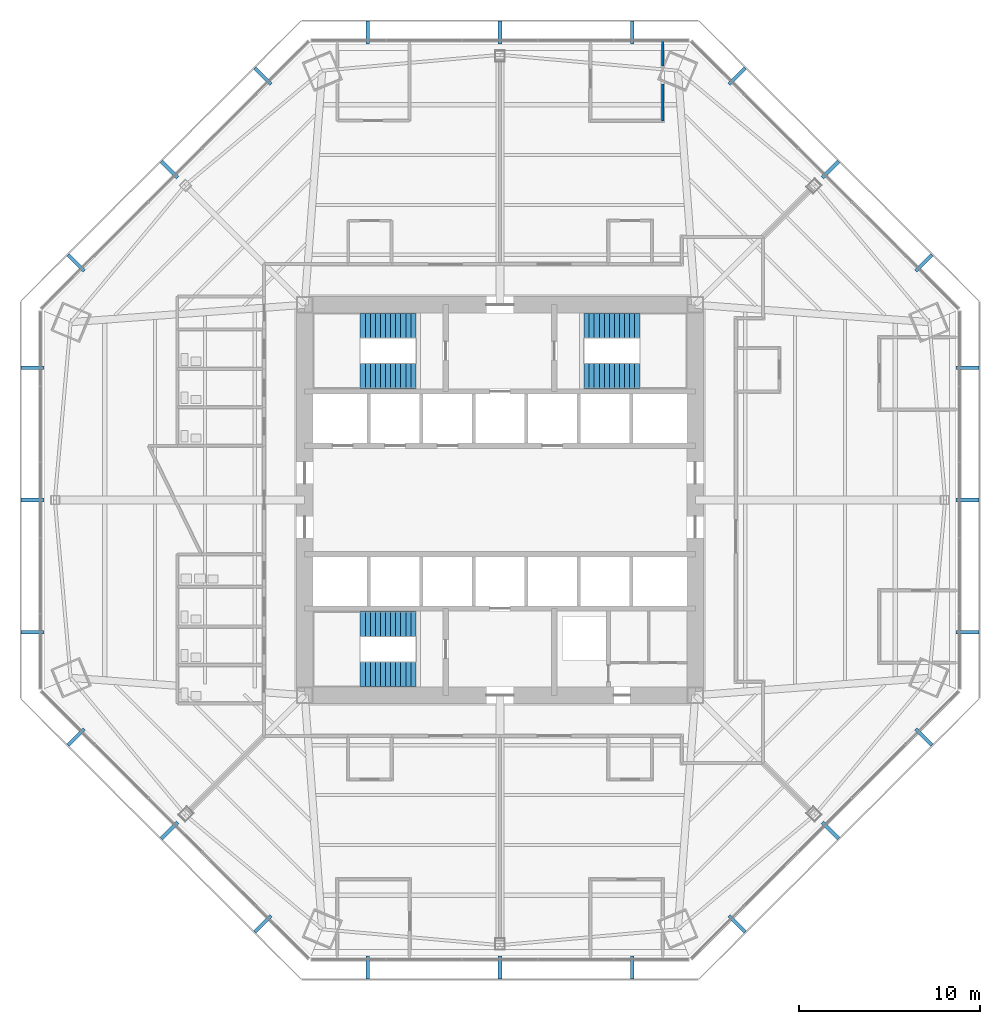
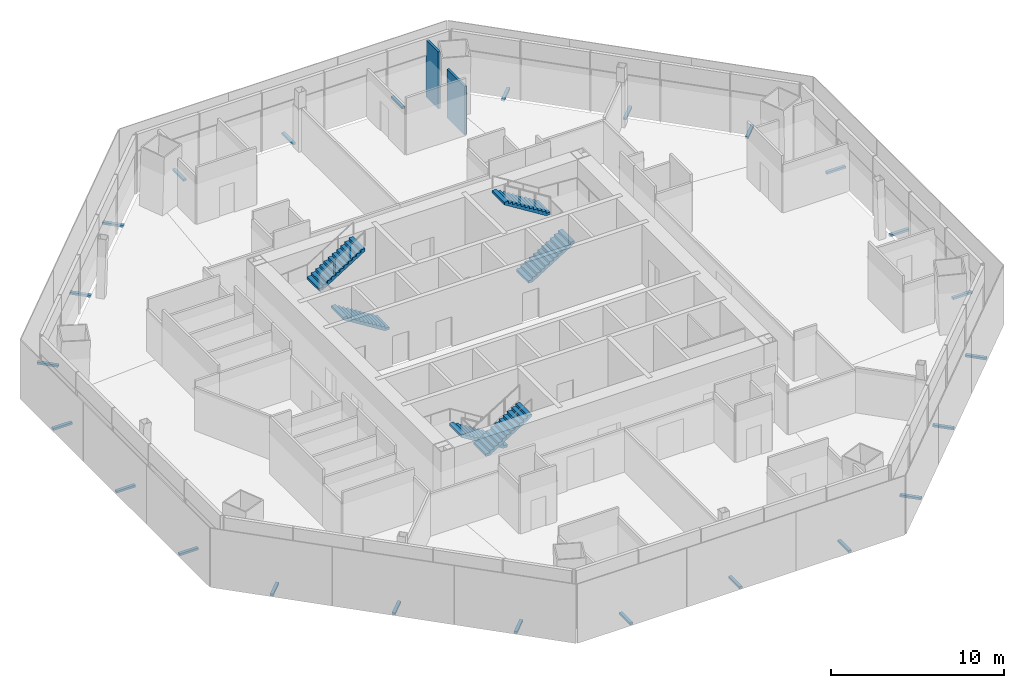
# One storey, part 13 of 17: 24 discrete accessories, 6 stair flights, 2 walls, 3 elements without a shape of their own.
"""IFC4 building model written with IfcOpenShell, lengths in metres."""

from ifc_helpers import new_model, si_unit, direction, frame, frame_2d, origin, origin_2d, place, context, subcontext, project, spatial, polyline, rectangle, outline, extrude, source, transform, mapped, material, layer, layer_set, type_object, type_shapes, element, aggregate, save


model = new_model("IFC4")

# Units and contexts
model_context = context("Model", 3, precision=1e-05, world=origin(), true_north=direction((0.0, 1.0)))
body_context = subcontext(model_context, "Body", "Model", "MODEL_VIEW")
ifc_project = project(units=[si_unit("LENGTHUNIT", "METRE"), si_unit("AREAUNIT", "SQUARE_METRE"), si_unit("VOLUMEUNIT", "CUBIC_METRE"), si_unit("PLANEANGLEUNIT", "RADIAN"), si_unit("MASSUNIT", "GRAM", prefix="KILO")], contexts=[model_context])

# Site, building, storey
site_placement = place(None, origin())
site = spatial("IfcSite", under=ifc_project, at=site_placement, CompositionType="ELEMENT")
building_placement = place(site_placement, origin())
building = spatial("IfcBuilding", under=site, at=building_placement, Name="Mashrafa Tower", CompositionType="ELEMENT")
storey_placement = place(building_placement, frame((0.0, 0.0, 91.800048828125)))
storey = spatial("IfcBuildingStorey", under=building, at=storey_placement, Name="L20", CompositionType="ELEMENT", Elevation=91.800048828125)

# Walls
ifc_material_1 = material(Name="Gypsum board on steel studs", Category="steel")
ifc_layer = layer(ifc_material_1, 0.14990234375)
ifc_layer_set = layer_set([ifc_layer], Name="Partition 150")
wall_type = type_object("IfcWallType", Name="Partition 150", PredefinedType="PARTITIONING", material=ifc_layer_set)
wall_1_placement = place(storey_placement, frame((9.0, 20.9677734375, 0.0), z_axis=(0.0, 0.0, 1.0), x_axis=(0.0, 1.0, 0.0)))
element("IfcWall", 1, at=wall_1_placement, inside=storey, type_object=wall_type, Name="Partition wall L20-058", PredefinedType="PARTITIONING", context=body_context, shape_type="SweptSolid", body=[
    extrude(rectangle(XDim=2.03662109375, YDim=0.14990234375, at=frame_2d((1.018310546875, 0.0))), origin(), (0.0, 0.0, 1.0), 3.4228515625),
])
wall_2_placement = place(storey_placement, frame((9.0, 23.998779296875, 0.0), z_axis=(0.0, 0.0, 1.0), x_axis=(0.0, 1.0, 0.0)))
element("IfcWall", 2, at=wall_2_placement, inside=storey, type_object=wall_type, Name="Partition wall L20-059", PredefinedType="PARTITIONING", context=body_context, shape_type="SweptSolid", body=[
    extrude(rectangle(XDim=1.401123046875, YDim=0.14990234375, at=frame_2d((0.70068359375, 0.0))), origin(), (0.0, 0.0, 1.0), 4.034912109375),
])

# Stair, stair flights
ifc_material_2 = material(Name="Exit stair 1400")
stair_type = type_object("IfcStairType", Name="Exit stair 1400", PredefinedType="HALF_TURN_STAIR", material=ifc_material_2)
stair_1_placement = place(storey_placement, origin())
stair_1 = element("IfcStair", 3, at=stair_1_placement, inside=storey, type_object=stair_type, Name="Stair S1 L20", PredefinedType="HALF_TURN_STAIR")
ifc_material_3 = material(Name="Concrete C32/40", Category="concrete")
stair_flight_type = type_object("IfcStairFlightType", Name="Stair flight 1400", PredefinedType="STRAIGHT", material=ifc_material_3)
stair_flight_1_placement = place(storey_placement, frame((-4.64990234375, 6.85009765625, 0.0), z_axis=(0.0, 0.0, 1.0), x_axis=(-1.0, 0.0, 0.0)))
stair_flight_1 = element("IfcStairFlight", 4, at=stair_flight_1_placement, type_object=stair_flight_type, Name="S1 flight 1", NumberOfRisers=12, NumberOfTreads=11, PredefinedType="STRAIGHT", RiserHeight=0.175, TreadLength=0.28, context=body_context, shape_type="SweptSolid", body=[
    extrude(outline(polyline([(0.0, 0.0), (0.0, 0.175048828125), (0.280029296875, 0.175048828125), (0.280029296875, 0.35009765625), (0.56005859375, 0.35009765625), (0.56005859375, 0.52490234375), (0.840087890625, 0.52490234375), (0.840087890625, 0.699951171875), (1.1201171875, 0.699951171875), (1.1201171875, 0.875), (1.39990234375, 0.875), (1.39990234375, 1.050048828125), (1.679931640625, 1.050048828125), (1.679931640625, 1.22509765625), (1.9599609375, 1.22509765625), (1.9599609375, 1.39990234375), (2.239990234375, 1.39990234375), (2.239990234375, 1.574951171875), (2.52001953125, 1.574951171875), (2.52001953125, 1.75), (2.800048828125, 1.75), (2.800048828125, 1.925048828125), (3.080078125, 1.925048828125), (3.080078125, 2.10009765625), (3.080078125, 1.748291015625), (0.28271484375, 0.0), (0.0, 0.0)])), frame((0.0, 0.699951171875, 0.0), z_axis=(0.0, -1.0, 0.0), x_axis=(1.0, 0.0, 0.0)), (0.0, 0.0, 1.0), 1.39990234375),
])
stair_flight_2_placement = place(storey_placement, frame((-7.72998046875, 9.64990234375, 2.099853515625), z_axis=(0.0, 0.0, 1.0), x_axis=(1.0, 0.0, 0.0)))
stair_flight_2 = element("IfcStairFlight", 5, at=stair_flight_2_placement, type_object=stair_flight_type, Name="S1 flight 2", NumberOfRisers=12, NumberOfTreads=11, PredefinedType="STRAIGHT", RiserHeight=0.175, TreadLength=0.28, context=body_context, shape_type="SweptSolid", body=[
    extrude(outline(polyline([(0.0, 0.0), (0.0, 0.175048828125), (0.280029296875, 0.175048828125), (0.280029296875, 0.35009765625), (0.56005859375, 0.35009765625), (0.56005859375, 0.52490234375), (0.840087890625, 0.52490234375), (0.840087890625, 0.699951171875), (1.1201171875, 0.699951171875), (1.1201171875, 0.875), (1.39990234375, 0.875), (1.39990234375, 1.050048828125), (1.679931640625, 1.050048828125), (1.679931640625, 1.22509765625), (1.9599609375, 1.22509765625), (1.9599609375, 1.39990234375), (2.239990234375, 1.39990234375), (2.239990234375, 1.574951171875), (2.52001953125, 1.574951171875), (2.52001953125, 1.75), (2.800048828125, 1.75), (2.800048828125, 1.925048828125), (3.080078125, 1.925048828125), (3.080078125, 2.10009765625), (3.080078125, 1.748291015625), (0.28271484375, 0.0), (0.0, 0.0)])), frame((0.0, 0.699951171875, 0.0), z_axis=(0.0, -1.0, 0.0), x_axis=(1.0, 0.0, 0.0)), (0.0, 0.0, 1.0), 1.39990234375),
])
aggregate(stair_1, [stair_flight_1, stair_flight_2])

stair_2_placement = place(storey_placement, origin())
stair_2 = element("IfcStair", 6, at=stair_2_placement, inside=storey, type_object=stair_type, Name="Stair S2 L20", PredefinedType="HALF_TURN_STAIR")
stair_flight_3_placement = place(storey_placement, frame((4.64990234375, 6.85009765625, 0.0), z_axis=(0.0, 0.0, 1.0), x_axis=(1.0, 0.0, 0.0)))
stair_flight_3 = element("IfcStairFlight", 7, at=stair_flight_3_placement, type_object=stair_flight_type, Name="S2 flight 1", NumberOfRisers=12, NumberOfTreads=11, PredefinedType="STRAIGHT", RiserHeight=0.175, TreadLength=0.28, context=body_context, shape_type="SweptSolid", body=[
    extrude(outline(polyline([(0.0, 0.0), (0.0, 0.175048828125), (0.280029296875, 0.175048828125), (0.280029296875, 0.35009765625), (0.56005859375, 0.35009765625), (0.56005859375, 0.52490234375), (0.840087890625, 0.52490234375), (0.840087890625, 0.699951171875), (1.1201171875, 0.699951171875), (1.1201171875, 0.875), (1.39990234375, 0.875), (1.39990234375, 1.050048828125), (1.679931640625, 1.050048828125), (1.679931640625, 1.22509765625), (1.9599609375, 1.22509765625), (1.9599609375, 1.39990234375), (2.239990234375, 1.39990234375), (2.239990234375, 1.574951171875), (2.52001953125, 1.574951171875), (2.52001953125, 1.75), (2.800048828125, 1.75), (2.800048828125, 1.925048828125), (3.080078125, 1.925048828125), (3.080078125, 2.10009765625), (3.080078125, 1.748291015625), (0.28271484375, 0.0), (0.0, 0.0)])), frame((0.0, 0.699951171875, 0.0), z_axis=(0.0, -1.0, 0.0), x_axis=(1.0, 0.0, 0.0)), (0.0, 0.0, 1.0), 1.39990234375),
])
stair_flight_4_placement = place(storey_placement, frame((7.72998046875, 9.64990234375, 2.099853515625), z_axis=(0.0, 0.0, 1.0), x_axis=(-1.0, 0.0, 0.0)))
stair_flight_4 = element("IfcStairFlight", 8, at=stair_flight_4_placement, type_object=stair_flight_type, Name="S2 flight 2", NumberOfRisers=12, NumberOfTreads=11, PredefinedType="STRAIGHT", RiserHeight=0.175, TreadLength=0.28, context=body_context, shape_type="SweptSolid", body=[
    extrude(outline(polyline([(0.0, 0.0), (0.0, 0.175048828125), (0.280029296875, 0.175048828125), (0.280029296875, 0.35009765625), (0.56005859375, 0.35009765625), (0.56005859375, 0.52490234375), (0.840087890625, 0.52490234375), (0.840087890625, 0.699951171875), (1.1201171875, 0.699951171875), (1.1201171875, 0.875), (1.39990234375, 0.875), (1.39990234375, 1.050048828125), (1.679931640625, 1.050048828125), (1.679931640625, 1.22509765625), (1.9599609375, 1.22509765625), (1.9599609375, 1.39990234375), (2.239990234375, 1.39990234375), (2.239990234375, 1.574951171875), (2.52001953125, 1.574951171875), (2.52001953125, 1.75), (2.800048828125, 1.75), (2.800048828125, 1.925048828125), (3.080078125, 1.925048828125), (3.080078125, 2.10009765625), (3.080078125, 1.748291015625), (0.28271484375, 0.0), (0.0, 0.0)])), frame((0.0, 0.699951171875, 0.0), z_axis=(0.0, -1.0, 0.0), x_axis=(1.0, 0.0, 0.0)), (0.0, 0.0, 1.0), 1.39990234375),
])
aggregate(stair_2, [stair_flight_3, stair_flight_4])

stair_3_placement = place(storey_placement, origin())
stair_3 = element("IfcStair", 9, at=stair_3_placement, inside=storey, type_object=stair_type, Name="Stair S3 L20", PredefinedType="HALF_TURN_STAIR")
stair_flight_5_placement = place(storey_placement, frame((-4.64990234375, -6.85009765625, 0.0), z_axis=(0.0, 0.0, 1.0), x_axis=(-1.0, 0.0, 0.0)))
stair_flight_5 = element("IfcStairFlight", 10, at=stair_flight_5_placement, type_object=stair_flight_type, Name="S3 flight 1", NumberOfRisers=12, NumberOfTreads=11, PredefinedType="STRAIGHT", RiserHeight=0.175, TreadLength=0.28, context=body_context, shape_type="SweptSolid", body=[
    extrude(outline(polyline([(0.0, 0.0), (0.0, 0.175048828125), (0.280029296875, 0.175048828125), (0.280029296875, 0.35009765625), (0.56005859375, 0.35009765625), (0.56005859375, 0.52490234375), (0.840087890625, 0.52490234375), (0.840087890625, 0.699951171875), (1.1201171875, 0.699951171875), (1.1201171875, 0.875), (1.39990234375, 0.875), (1.39990234375, 1.050048828125), (1.679931640625, 1.050048828125), (1.679931640625, 1.22509765625), (1.9599609375, 1.22509765625), (1.9599609375, 1.39990234375), (2.239990234375, 1.39990234375), (2.239990234375, 1.574951171875), (2.52001953125, 1.574951171875), (2.52001953125, 1.75), (2.800048828125, 1.75), (2.800048828125, 1.925048828125), (3.080078125, 1.925048828125), (3.080078125, 2.10009765625), (3.080078125, 1.748291015625), (0.28271484375, 0.0), (0.0, 0.0)])), frame((0.0, 0.699951171875, 0.0), z_axis=(0.0, -1.0, 0.0), x_axis=(1.0, 0.0, 0.0)), (0.0, 0.0, 1.0), 1.39990234375),
])
stair_flight_6_placement = place(storey_placement, frame((-7.72998046875, -9.64990234375, 2.099853515625), z_axis=(0.0, 0.0, 1.0), x_axis=(1.0, 0.0, 0.0)))
stair_flight_6 = element("IfcStairFlight", 11, at=stair_flight_6_placement, type_object=stair_flight_type, Name="S3 flight 2", NumberOfRisers=12, NumberOfTreads=11, PredefinedType="STRAIGHT", RiserHeight=0.175, TreadLength=0.28, context=body_context, shape_type="SweptSolid", body=[
    extrude(outline(polyline([(0.0, 0.0), (0.0, 0.175048828125), (0.280029296875, 0.175048828125), (0.280029296875, 0.35009765625), (0.56005859375, 0.35009765625), (0.56005859375, 0.52490234375), (0.840087890625, 0.52490234375), (0.840087890625, 0.699951171875), (1.1201171875, 0.699951171875), (1.1201171875, 0.875), (1.39990234375, 0.875), (1.39990234375, 1.050048828125), (1.679931640625, 1.050048828125), (1.679931640625, 1.22509765625), (1.9599609375, 1.22509765625), (1.9599609375, 1.39990234375), (2.239990234375, 1.39990234375), (2.239990234375, 1.574951171875), (2.52001953125, 1.574951171875), (2.52001953125, 1.75), (2.800048828125, 1.75), (2.800048828125, 1.925048828125), (3.080078125, 1.925048828125), (3.080078125, 2.10009765625), (3.080078125, 1.748291015625), (0.28271484375, 0.0), (0.0, 0.0)])), frame((0.0, 0.699951171875, 0.0), z_axis=(0.0, -1.0, 0.0), x_axis=(1.0, 0.0, 0.0)), (0.0, 0.0, 1.0), 1.39990234375),
])
aggregate(stair_3, [stair_flight_5, stair_flight_6])

# Discrete accessories
ifc_material_4 = material(Name="Stainless steel screen bracket", Category="steel")
discrete_accessory_type = type_object("IfcDiscreteAccessoryType", Name="Screen support bracket 200 x 150", PredefinedType="BRACKET", material=ifc_material_4)
shared_shape = source(origin(), body_context, "Body", "SweptSolid", [
    extrude(rectangle(XDim=0.199951171875, YDim=1.27001953125, at=origin_2d()), origin(), (0.0, 0.0, 1.0), 0.14990234375),
])
type_shapes(discrete_accessory_type, [shared_shape])
for number, where, z_axis, x_axis, name in (
    (12, (25.852783203125, -7.307861328125, -0.14990234375), (0.0, 0.0, 1.0), (0.0, 1.0, 0.0), "Screen support bracket L20 east 1"),
    (13, (25.852783203125, 0.0, -0.14990234375), (0.0, 0.0, 1.0), (0.0, 1.0, 0.0), "Screen support bracket L20 east 2"),
    (14, (25.852783203125, 7.307861328125, -0.14990234375), (0.0, 0.0, 1.0), (0.0, 1.0, 0.0), "Screen support bracket L20 east 3"),
    (15, (23.447998046875, 13.11328125, -0.14990234375), (0.0, 0.0, 1.0), (-0.707106781187, 0.707106781187, 0.0), "Screen support bracket L20 north-east 1"),
    (16, (18.28076171875, 18.28076171875, -0.14990234375), (0.0, 0.0, 1.0), (-0.707106781187, 0.707106781187, 0.0), "Screen support bracket L20 north-east 2"),
    (17, (13.11328125, 23.447998046875, -0.14990234375), (0.0, 0.0, 1.0), (-0.707106781187, 0.707106781187, 0.0), "Screen support bracket L20 north-east 3"),
    (18, (7.307861328125, 25.852783203125, -0.14990234375), (0.0, 0.0, 1.0), (-1.0, 0.0, 0.0), "Screen support bracket L20 north 1"),
    (19, (0.0, 25.852783203125, -0.14990234375), (0.0, 0.0, 1.0), (-1.0, 0.0, 0.0), "Screen support bracket L20 north 2"),
    (20, (-7.307861328125, 25.852783203125, -0.14990234375), (0.0, 0.0, 1.0), (-1.0, 0.0, 0.0), "Screen support bracket L20 north 3"),
    (21, (-13.11328125, 23.447998046875, -0.14990234375), (0.0, 0.0, 1.0), (-0.707106781187, -0.707106781187, 0.0), "Screen support bracket L20 north-west 1"),
    (22, (-18.28076171875, 18.28076171875, -0.14990234375), (0.0, 0.0, 1.0), (-0.707106781187, -0.707106781187, 0.0), "Screen support bracket L20 north-west 2"),
    (23, (-23.447998046875, 13.11328125, -0.14990234375), (0.0, 0.0, 1.0), (-0.707106781187, -0.707106781187, 0.0), "Screen support bracket L20 north-west 3"),
    (24, (-25.852783203125, 7.307861328125, -0.14990234375), (0.0, 0.0, 1.0), (0.0, -1.0, 0.0), "Screen support bracket L20 west 1"),
    (25, (-25.852783203125, 0.0, -0.14990234375), (0.0, 0.0, 1.0), (0.0, -1.0, 0.0), "Screen support bracket L20 west 2"),
    (26, (-25.852783203125, -7.307861328125, -0.14990234375), (0.0, 0.0, 1.0), (0.0, -1.0, 0.0), "Screen support bracket L20 west 3"),
    (27, (-23.447998046875, -13.11328125, -0.14990234375), (0.0, 0.0, 1.0), (0.707106781187, -0.707106781187, 0.0), "Screen support bracket L20 south-west 1"),
    (28, (-18.28076171875, -18.28076171875, -0.14990234375), (0.0, 0.0, 1.0), (0.707106781187, -0.707106781187, 0.0), "Screen support bracket L20 south-west 2"),
    (29, (-13.11328125, -23.447998046875, -0.14990234375), (0.0, 0.0, 1.0), (0.707106781187, -0.707106781187, 0.0), "Screen support bracket L20 south-west 3"),
    (30, (-7.307861328125, -25.852783203125, -0.14990234375), (0.0, 0.0, 1.0), (1.0, 0.0, 0.0), "Screen support bracket L20 south 1"),
    (31, (0.0, -25.852783203125, -0.14990234375), (0.0, 0.0, 1.0), (1.0, 0.0, 0.0), "Screen support bracket L20 south 2"),
    (32, (7.307861328125, -25.852783203125, -0.14990234375), (0.0, 0.0, 1.0), (1.0, 0.0, 0.0), "Screen support bracket L20 south 3"),
    (33, (13.11328125, -23.447998046875, -0.14990234375), (0.0, 0.0, 1.0), (0.707106781187, 0.707106781187, 0.0), "Screen support bracket L20 south-east 1"),
    (34, (18.28076171875, -18.28076171875, -0.14990234375), (0.0, 0.0, 1.0), (0.707106781187, 0.707106781187, 0.0), "Screen support bracket L20 south-east 2"),
    (35, (23.447998046875, -13.11328125, -0.14990234375), (0.0, 0.0, 1.0), (0.707106781187, 0.707106781187, 0.0), "Screen support bracket L20 south-east 3"),
):
    element("IfcDiscreteAccessory", number, at=place(storey_placement, frame(where, z_axis=z_axis, x_axis=x_axis)), inside=storey, type_object=discrete_accessory_type, Name=name, PredefinedType="BRACKET", context=body_context, shape_type="MappedRepresentation", body=[
        mapped(shared_shape, transform((0.0, 0.0, 0.0))),
    ])

save(model, "model.ifc")
